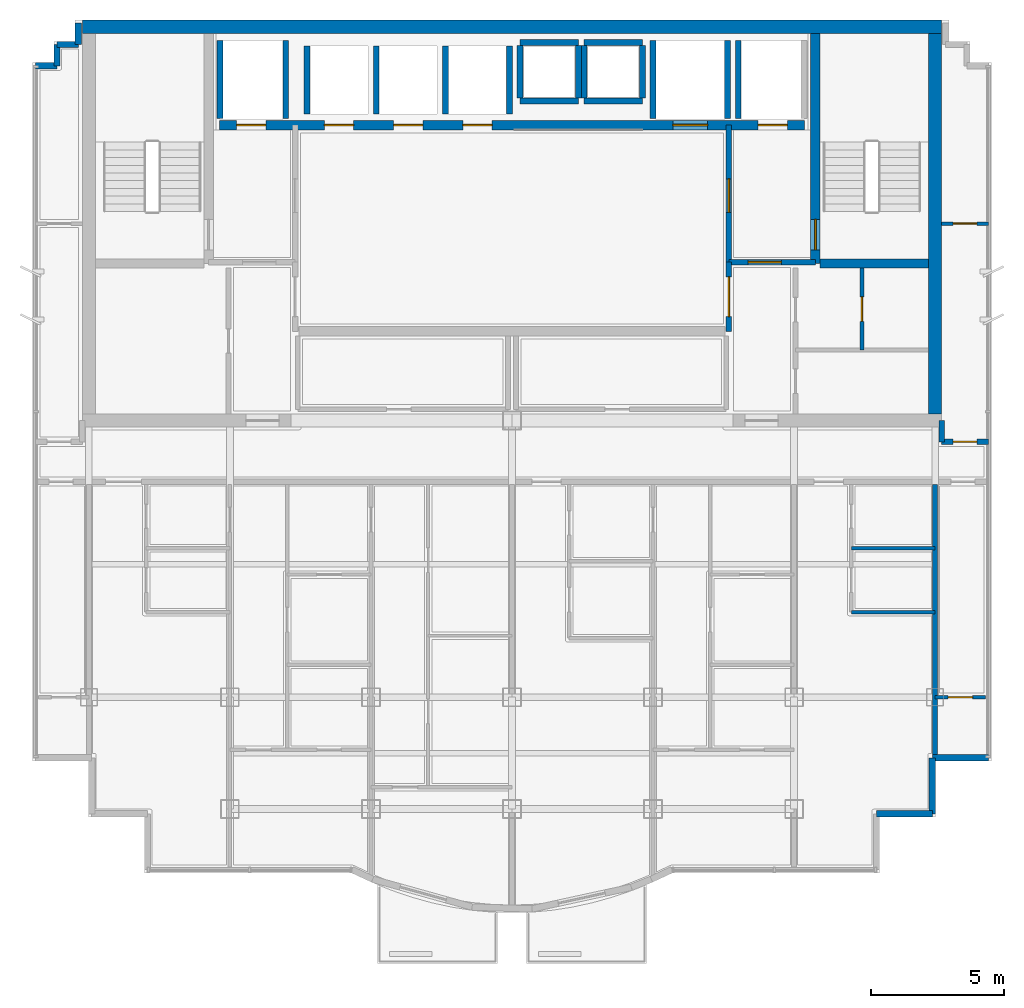
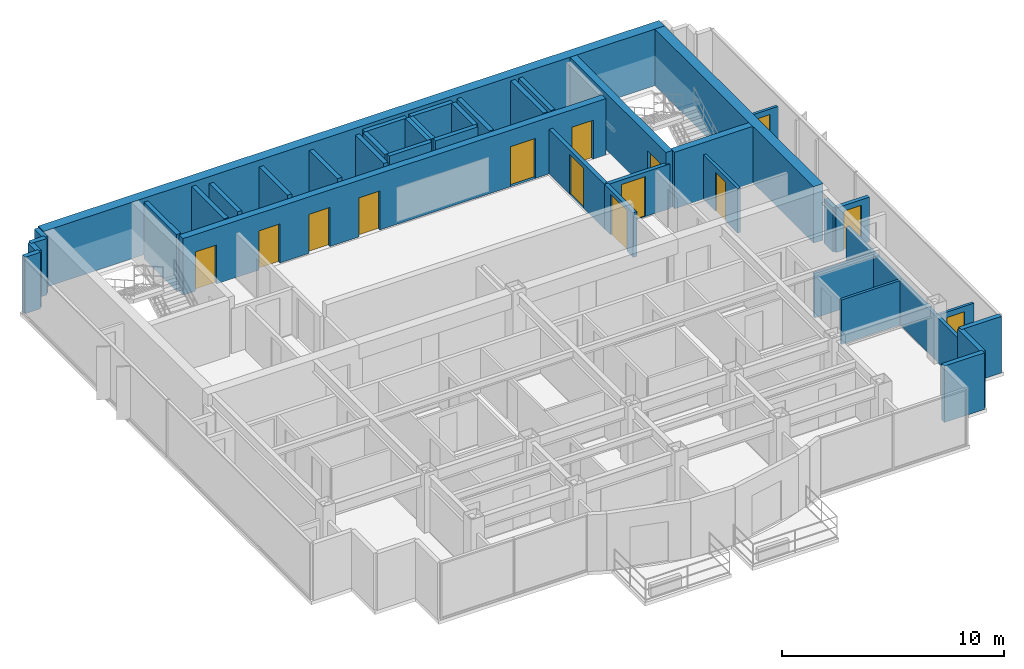
# One storey, part 8 of 11: 40 walls, 14 doors, 14 openings.
"""IFC4 building model written with IfcOpenShell, lengths in metres."""

from ifc_helpers import new_model, si_unit, direction, frame, frame_2d, origin, place, context, subcontext, project, spatial, rectangle, extrude, material, layer, layer_set, type_object, element, fill, save


model = new_model("IFC4")

# Units and contexts
model_context = context("Model", 3, precision=1e-05, world=origin(), true_north=direction((0.0, 1.0)))
body_context = subcontext(model_context, "Body", "Model", "MODEL_VIEW")
ifc_project = project(units=[si_unit("LENGTHUNIT", "METRE"), si_unit("AREAUNIT", "SQUARE_METRE"), si_unit("VOLUMEUNIT", "CUBIC_METRE"), si_unit("PLANEANGLEUNIT", "RADIAN"), si_unit("MASSUNIT", "GRAM", prefix="KILO")], contexts=[model_context])

# Site, building, storey
site_placement = place(None, origin())
site = spatial("IfcSite", under=ifc_project, at=site_placement, CompositionType="ELEMENT")
building_placement = place(site_placement, origin())
building = spatial("IfcBuilding", under=site, at=building_placement, Name="Qianlan Lanfeng Residences", CompositionType="ELEMENT")
storey_placement = place(building_placement, frame((0.0, 0.0, 256.10009765625)))
storey = spatial("IfcBuildingStorey", under=building, at=storey_placement, Name="L71", CompositionType="ELEMENT", Elevation=256.10009765625)

# Wall, opening, door
ifc_material_1 = material(Name="Concrete C49", Category="concrete")
ifc_layer_1 = layer(ifc_material_1, 0.35009765625)
ifc_layer_set_1 = layer_set([ifc_layer_1], Name="Concrete C49")
wall_type_1 = type_object("IfcWallType", Name="CW-RC-350", PredefinedType="SHEAR", material=ifc_layer_set_1)
wall_1_placement = place(storey_placement, frame((37.89990234375, 31.10009765625, 0.0), z_axis=(0.0, 0.0, 1.0), x_axis=(0.0, 1.0, 0.0)))
wall_1 = element("IfcWall", 1, at=wall_1_placement, inside=storey, type_object=wall_type_1, Name="L71 Core Shear Wall ST2W", PredefinedType="SHEAR", context=body_context, shape_type="SweptSolid", body=[
    extrude(rectangle(XDim=8.64990234375, YDim=0.35009765625, at=frame_2d((4.324951171875, 0.0))), origin(), (0.0, 0.0, 1.0), 3.10986328125),
])
opening_1_placement = place(wall_1_placement, frame((0.510009765625, 0.0, 0.0)))
opening_1 = element("IfcOpeningElement", 2, at=opening_1_placement, cuts=wall_1, Name="Opening L71-D08", PredefinedType="OPENING", context=body_context, shape_type="SweptSolid", body=[
    extrude(rectangle(XDim=1.14990234375, YDim=2.199951171875, at=frame_2d((0.574951171875, 1.10009765625))), frame((0.0, 0.18505859375, 0.0), z_axis=(0.0, -1.0, 0.0), x_axis=(1.0, 0.0, 0.0)), (0.0, 0.0, 1.0), 0.3701171875),
])
ifc_material_2 = material(Name="Painted Galvanised Steel Fire Door", Category="steel")
door_type_1 = type_object("IfcDoorType", Name="DT-ST1", OperationType="NOTDEFINED", PredefinedType="DOOR", material=ifc_material_2)
door_1_placement = place(opening_1_placement, origin())
door_1 = element("IfcDoor", 3, at=door_1_placement, inside=storey, type_object=door_type_1, Name="L71 Exit Stair ST-2 Door L71-D08 (DT-ST1)", OperationType="SINGLE_SWING_RIGHT", OverallHeight=2.199951171875, OverallWidth=1.14990234375, PredefinedType="DOOR", context=body_context, shape_type="SweptSolid", body=[
    extrude(rectangle(XDim=1.14990234375, YDim=2.199951171875, at=frame_2d((0.574951171875, 1.10009765625))), frame((0.0, 0.02490234375, 0.0), z_axis=(0.0, -1.0, 0.0), x_axis=(1.0, 0.0, 0.0)), (0.0, 0.0, 1.0), 0.050048828125),
])
fill(opening_1, door_1)

# Wall
wall_2_placement = place(storey_placement, frame((38.074951171875, 31.10009765625, 0.0), z_axis=(0.0, 0.0, 1.0), x_axis=(1.0, 0.0, 0.0)))
element("IfcWall", 4, at=wall_2_placement, inside=storey, type_object=wall_type_1, Name="L71 Core Shear Wall ST2S", PredefinedType="SHEAR", context=body_context, shape_type="SweptSolid", body=[
    extrude(rectangle(XDim=4.074951171875, YDim=0.35009765625, at=frame_2d((2.03759765625, 0.0))), origin(), (0.0, 0.0, 1.0), 3.10986328125),
])

# Wall, openings, doors
wall_3_placement = place(storey_placement, frame((15.5, 36.300048828125, 0.0), z_axis=(0.0, 0.0, 1.0), x_axis=(1.0, 0.0, 0.0)))
wall_3 = element("IfcWall", 5, at=wall_3_placement, inside=storey, type_object=wall_type_1, Name="L71 Core Shear Wall LBN", PredefinedType="SHEAR", context=body_context, shape_type="SweptSolid", body=[
    extrude(rectangle(XDim=22.0, YDim=0.35009765625, at=frame_2d((11.0, 0.0))), origin(), (0.0, 0.0, 1.0), 3.10986328125),
])
opening_2_placement = place(wall_3_placement, frame((0.64990234375, 0.0, 0.0)))
opening_2 = element("IfcOpeningElement", 6, at=opening_2_placement, cuts=wall_3, Name="Opening L71-LD-FFL-1", PredefinedType="OPENING", context=body_context, shape_type="SweptSolid", body=[
    extrude(rectangle(XDim=1.10009765625, YDim=2.14990234375, at=frame_2d((0.550048828125, 1.074951171875))), frame((0.0, 0.18505859375, 0.0), z_axis=(0.0, -1.0, 0.0), x_axis=(1.0, 0.0, 0.0)), (0.0, 0.0, 1.0), 0.3701171875),
])
opening_3_placement = place(wall_3_placement, frame((20.25, 0.0, 0.0)))
opening_3 = element("IfcOpeningElement", 7, at=opening_3_placement, cuts=wall_3, Name="Opening L71-LD-FFL-2", PredefinedType="OPENING", context=body_context, shape_type="SweptSolid", body=[
    extrude(rectangle(XDim=1.10009765625, YDim=2.14990234375, at=frame_2d((0.550048828125, 1.074951171875))), frame((0.0, 0.18505859375, 0.0), z_axis=(0.0, -1.0, 0.0), x_axis=(1.0, 0.0, 0.0)), (0.0, 0.0, 1.0), 0.3701171875),
])
opening_4_placement = place(wall_3_placement, frame((17.050048828125, 0.0, 0.0)))
opening_4 = element("IfcOpeningElement", 8, at=opening_4_placement, cuts=wall_3, Name="Opening L71-LD-SVL-1", PredefinedType="OPENING", context=body_context, shape_type="SweptSolid", body=[
    extrude(rectangle(XDim=1.300048828125, YDim=2.199951171875, at=frame_2d((0.64990234375, 1.10009765625))), frame((0.0, 0.18505859375, 0.0), z_axis=(0.0, -1.0, 0.0), x_axis=(1.0, 0.0, 0.0)), (0.0, 0.0, 1.0), 0.3701171875),
])
opening_5_placement = place(wall_3_placement, frame((3.949951171875, 0.0, 0.0)))
opening_5 = element("IfcOpeningElement", 9, at=opening_5_placement, cuts=wall_3, Name="Opening L71-LD-PL-H1", PredefinedType="OPENING", context=body_context, shape_type="SweptSolid", body=[
    extrude(rectangle(XDim=1.10009765625, YDim=2.14990234375, at=frame_2d((0.550048828125, 1.074951171875))), frame((0.0, 0.18505859375, 0.0), z_axis=(0.0, -1.0, 0.0), x_axis=(1.0, 0.0, 0.0)), (0.0, 0.0, 1.0), 0.3701171875),
])
opening_6_placement = place(wall_3_placement, frame((6.550048828125, 0.0, 0.0)))
opening_6 = element("IfcOpeningElement", 10, at=opening_6_placement, cuts=wall_3, Name="Opening L71-LD-PL-H2", PredefinedType="OPENING", context=body_context, shape_type="SweptSolid", body=[
    extrude(rectangle(XDim=1.10009765625, YDim=2.14990234375, at=frame_2d((0.550048828125, 1.074951171875))), frame((0.0, 0.18505859375, 0.0), z_axis=(0.0, -1.0, 0.0), x_axis=(1.0, 0.0, 0.0)), (0.0, 0.0, 1.0), 0.3701171875),
])
opening_7_placement = place(wall_3_placement, frame((9.14990234375, 0.0, 0.0)))
opening_7 = element("IfcOpeningElement", 11, at=opening_7_placement, cuts=wall_3, Name="Opening L71-LD-PL-H3", PredefinedType="OPENING", context=body_context, shape_type="SweptSolid", body=[
    extrude(rectangle(XDim=1.10009765625, YDim=2.14990234375, at=frame_2d((0.550048828125, 1.074951171875))), frame((0.0, 0.18505859375, 0.0), z_axis=(0.0, -1.0, 0.0), x_axis=(1.0, 0.0, 0.0)), (0.0, 0.0, 1.0), 0.3701171875),
])
ifc_material_3 = material(Name="Brushed Stainless Steel Sliding Lift Door", Category="steel")
door_type_2 = type_object("IfcDoorType", Name="LD-01", OperationType="NOTDEFINED", PredefinedType="DOOR", material=ifc_material_3)
door_2_placement = place(opening_2_placement, frame((1.10009765625, 0.0, 0.0), z_axis=(0.0, 0.0, 1.0), x_axis=(-1.0, 0.0, 0.0)))
door_2 = element("IfcDoor", 12, at=door_2_placement, inside=storey, type_object=door_type_2, Name="L71 Elevator FFL-1 Sliding Landing Door", OperationType="DOUBLE_DOOR_SLIDING", OverallHeight=2.14990234375, OverallWidth=1.10009765625, PredefinedType="DOOR", context=body_context, shape_type="SweptSolid", body=[
    extrude(rectangle(XDim=1.10009765625, YDim=2.14990234375, at=frame_2d((0.550048828125, 1.074951171875))), frame((0.0, 0.02490234375, 0.0), z_axis=(0.0, -1.0, 0.0), x_axis=(1.0, 0.0, 0.0)), (0.0, 0.0, 1.0), 0.050048828125),
])
fill(opening_2, door_2)
door_3_placement = place(opening_3_placement, frame((1.10009765625, 0.0, 0.0), z_axis=(0.0, 0.0, 1.0), x_axis=(-1.0, 0.0, 0.0)))
door_3 = element("IfcDoor", 13, at=door_3_placement, inside=storey, type_object=door_type_2, Name="L71 Elevator FFL-2 Sliding Landing Door", OperationType="DOUBLE_DOOR_SLIDING", OverallHeight=2.14990234375, OverallWidth=1.10009765625, PredefinedType="DOOR", context=body_context, shape_type="SweptSolid", body=[
    extrude(rectangle(XDim=1.10009765625, YDim=2.14990234375, at=frame_2d((0.550048828125, 1.074951171875))), frame((0.0, 0.02490234375, 0.0), z_axis=(0.0, -1.0, 0.0), x_axis=(1.0, 0.0, 0.0)), (0.0, 0.0, 1.0), 0.050048828125),
])
fill(opening_3, door_3)
door_4_placement = place(opening_5_placement, frame((1.10009765625, 0.0, 0.0), z_axis=(0.0, 0.0, 1.0), x_axis=(-1.0, 0.0, 0.0)))
door_4 = element("IfcDoor", 14, at=door_4_placement, inside=storey, type_object=door_type_2, Name="L71 Elevator PL-H1 Sliding Landing Door", OperationType="DOUBLE_DOOR_SLIDING", OverallHeight=2.14990234375, OverallWidth=1.10009765625, PredefinedType="DOOR", context=body_context, shape_type="SweptSolid", body=[
    extrude(rectangle(XDim=1.10009765625, YDim=2.14990234375, at=frame_2d((0.550048828125, 1.074951171875))), frame((0.0, 0.02490234375, 0.0), z_axis=(0.0, -1.0, 0.0), x_axis=(1.0, 0.0, 0.0)), (0.0, 0.0, 1.0), 0.050048828125),
])
fill(opening_5, door_4)
door_5_placement = place(opening_6_placement, frame((1.10009765625, 0.0, 0.0), z_axis=(0.0, 0.0, 1.0), x_axis=(-1.0, 0.0, 0.0)))
door_5 = element("IfcDoor", 15, at=door_5_placement, inside=storey, type_object=door_type_2, Name="L71 Elevator PL-H2 Sliding Landing Door", OperationType="DOUBLE_DOOR_SLIDING", OverallHeight=2.14990234375, OverallWidth=1.10009765625, PredefinedType="DOOR", context=body_context, shape_type="SweptSolid", body=[
    extrude(rectangle(XDim=1.10009765625, YDim=2.14990234375, at=frame_2d((0.550048828125, 1.074951171875))), frame((0.0, 0.02490234375, 0.0), z_axis=(0.0, -1.0, 0.0), x_axis=(1.0, 0.0, 0.0)), (0.0, 0.0, 1.0), 0.050048828125),
])
fill(opening_6, door_5)
door_6_placement = place(opening_7_placement, frame((1.10009765625, 0.0, 0.0), z_axis=(0.0, 0.0, 1.0), x_axis=(-1.0, 0.0, 0.0)))
door_6 = element("IfcDoor", 16, at=door_6_placement, inside=storey, type_object=door_type_2, Name="L71 Elevator PL-H3 Sliding Landing Door", OperationType="DOUBLE_DOOR_SLIDING", OverallHeight=2.14990234375, OverallWidth=1.10009765625, PredefinedType="DOOR", context=body_context, shape_type="SweptSolid", body=[
    extrude(rectangle(XDim=1.10009765625, YDim=2.14990234375, at=frame_2d((0.550048828125, 1.074951171875))), frame((0.0, 0.02490234375, 0.0), z_axis=(0.0, -1.0, 0.0), x_axis=(1.0, 0.0, 0.0)), (0.0, 0.0, 1.0), 0.050048828125),
])
fill(opening_7, door_6)
door_type_3 = type_object("IfcDoorType", Name="LD-02", OperationType="NOTDEFINED", PredefinedType="DOOR", material=ifc_material_3)
door_7_placement = place(opening_4_placement, frame((1.300048828125, 0.0, 0.0), z_axis=(0.0, 0.0, 1.0), x_axis=(-1.0, 0.0, 0.0)))
door_7 = element("IfcDoor", 17, at=door_7_placement, inside=storey, type_object=door_type_3, Name="L71 Elevator SVL-1 Sliding Landing Door", OperationType="DOUBLE_DOOR_SLIDING", OverallHeight=2.199951171875, OverallWidth=1.300048828125, PredefinedType="DOOR", context=body_context, shape_type="SweptSolid", body=[
    extrude(rectangle(XDim=1.300048828125, YDim=2.199951171875, at=frame_2d((0.64990234375, 1.10009765625))), frame((0.0, 0.02490234375, 0.0), z_axis=(0.0, -1.0, 0.0), x_axis=(1.0, 0.0, 0.0)), (0.0, 0.0, 1.0), 0.050048828125),
])
fill(opening_4, door_7)

# Walls
ifc_material_4 = material(Name="Concrete C70", Category="concrete")
ifc_layer_2 = layer(ifc_material_4, 0.5)
ifc_layer_set_2 = layer_set([ifc_layer_2], Name="Concrete C70")
wall_type_2 = type_object("IfcWallType", Name="CW-RC-500", PredefinedType="SHEAR", material=ifc_layer_set_2)
wall_4_placement = place(storey_placement, frame((10.35009765625, 40.0, 0.0), z_axis=(0.0, 0.0, 1.0), x_axis=(1.0, 0.0, 0.0)))
element("IfcWall", 18, at=wall_4_placement, inside=storey, type_object=wall_type_2, Name="L71 Core Shear Wall N", PredefinedType="SHEAR", context=body_context, shape_type="SweptSolid", body=[
    extrude(rectangle(XDim=32.2998046875, YDim=0.5, at=frame_2d((16.14990234375, 0.0))), origin(), (0.0, 0.0, 1.0), 3.10986328125),
])
wall_5_placement = place(storey_placement, frame((42.39990234375, 25.449951171875, 0.0), z_axis=(0.0, 0.0, 1.0), x_axis=(0.0, 1.0, 0.0)))
element("IfcWall", 19, at=wall_5_placement, inside=storey, type_object=wall_type_2, Name="L71 Core Shear Wall E", PredefinedType="SHEAR", context=body_context, shape_type="SweptSolid", body=[
    extrude(rectangle(XDim=14.300048828125, YDim=0.5, at=frame_2d((7.14990234375, 0.0))), origin(), (0.0, 0.0, 1.0), 3.10986328125),
])
ifc_material_5 = material(Name="Concrete C42", Category="concrete")
ifc_layer_3 = layer(ifc_material_5, 0.239990234375)
ifc_layer_set_3 = layer_set([ifc_layer_3], Name="Concrete C42")
wall_type_3 = type_object("IfcWallType", Name="EW-240", PredefinedType="SOLIDWALL", material=ifc_layer_set_3)
for number, where, z_axis, x_axis, name in (
    (20, (40.199951171875, 10.419921875, 0.0), (0.0, 0.0, 1.0), (1.0, 0.0, 0.0), "L71 Exterior Facade Spandrel Wall 12"),
    (21, (42.300048828125, 10.419921875, 0.0), (0.0, 0.0, 1.0), (0.0, 1.0, 0.0), "L71 Exterior Facade Spandrel Wall 13"),
):
    element("IfcWall", number, at=place(storey_placement, frame(where, z_axis=z_axis, x_axis=x_axis)), inside=storey, type_object=wall_type_3, Name=name, PredefinedType="SOLIDWALL", context=body_context, shape_type="SweptSolid", body=[
        extrude(rectangle(XDim=2.10009765625, YDim=0.239990234375, at=frame_2d((1.050048828125, 0.0))), origin(), (0.0, 0.0, 1.0), 3.10986328125),
    ])
wall_6_placement = place(storey_placement, frame((42.300048828125, 12.52001953125, 0.0), z_axis=(0.0, 0.0, 1.0), x_axis=(1.0, 0.0, 0.0)))
element("IfcWall", 22, at=wall_6_placement, inside=storey, type_object=wall_type_3, Name="L71 Exterior Facade Spandrel Wall 14", PredefinedType="SOLIDWALL", context=body_context, shape_type="SweptSolid", body=[
    extrude(rectangle(XDim=2.099853515625, YDim=0.239990234375, at=frame_2d((1.0498046875, 0.0))), origin(), (0.0, 0.0, 1.0), 3.10986328125),
])
wall_7_placement = place(storey_placement, frame((10.199951171875, 40.1298828125, 0.0), z_axis=(0.0, 0.0, 1.0), x_axis=(0.0, -1.0, 0.0)))
element("IfcWall", 23, at=wall_7_placement, inside=storey, type_object=wall_type_3, Name="L71 Exterior Facade Spandrel Wall 19", PredefinedType="SOLIDWALL", context=body_context, shape_type="SweptSolid", body=[
    extrude(rectangle(XDim=0.7998046875, YDim=0.239990234375, at=frame_2d((0.39990234375, 0.0))), origin(), (0.0, 0.0, 1.0), 3.10986328125),
])
for number, where, z_axis, x_axis, name in (
    (24, (10.199951171875, 39.330078125, 0.0), (0.0, 0.0, 1.0), (-1.0, 0.0, 0.0), "L71 Exterior Facade Spandrel Wall 20"),
    (25, (9.39990234375, 39.330078125, 0.0), (0.0, 0.0, 1.0), (0.0, -1.0, 0.0), "L71 Exterior Facade Spandrel Wall 21"),
):
    element("IfcWall", number, at=place(storey_placement, frame(where, z_axis=z_axis, x_axis=x_axis)), inside=storey, type_object=wall_type_3, Name=name, PredefinedType="SOLIDWALL", context=body_context, shape_type="SweptSolid", body=[
        extrude(rectangle(XDim=0.800048828125, YDim=0.239990234375, at=frame_2d((0.39990234375, 0.0))), origin(), (0.0, 0.0, 1.0), 3.10986328125),
    ])
wall_8_placement = place(storey_placement, frame((9.39990234375, 38.530029296875, 0.0), z_axis=(0.0, 0.0, 1.0), x_axis=(-1.0, 0.0, 0.0)))
element("IfcWall", 26, at=wall_8_placement, inside=storey, type_object=wall_type_3, Name="L71 Exterior Facade Spandrel Wall 22", PredefinedType="SOLIDWALL", context=body_context, shape_type="SweptSolid", body=[
    extrude(rectangle(XDim=0.7998046875, YDim=0.239990234375, at=frame_2d((0.39990234375, 0.0))), origin(), (0.0, 0.0, 1.0), 3.10986328125),
])
ifc_material_6 = material(Name="Moisture-Resistant Gypsum Partition 135 mm")
ifc_layer_4 = layer(ifc_material_6, 0.135009765625)
ifc_layer_set_4 = layer_set([ifc_layer_4], Name="Moisture-Resistant Gypsum Partition 135 mm")
wall_type_4 = type_object("IfcWallType", Name="PW-135", PredefinedType="PARTITIONING", material=ifc_layer_set_4)
for number, where, z_axis, x_axis, name in (
    (27, (39.25, 18.0, 0.0), (0.0, 0.0, 1.0), (1.0, 0.0, 0.0), "L71 U03 Kitchen South Wall"),
    (28, (39.25, 20.39990234375, 0.0), (0.0, 0.0, 1.0), (1.0, 0.0, 0.0), "L71 U03 Bathroom South Wall"),
):
    element("IfcWall", number, at=place(storey_placement, frame(where, z_axis=z_axis, x_axis=x_axis)), inside=storey, type_object=wall_type_4, Name=name, PredefinedType="PARTITIONING", context=body_context, shape_type="SweptSolid", body=[
        extrude(rectangle(XDim=3.14990234375, YDim=0.135009765625, at=frame_2d((1.574951171875, 0.0))), origin(), (0.0, 0.0, 1.0), 2.449951171875),
    ])

# Wall, opening, door
wall_9_placement = place(storey_placement, frame((42.39990234375, 14.800048828125, 0.0), z_axis=(0.0, 0.0, 1.0), x_axis=(1.0, 0.0, 0.0)))
wall_9 = element("IfcWall", 29, at=wall_9_placement, inside=storey, type_object=wall_type_4, Name="L71 SEP Mid Partition", PredefinedType="PARTITIONING", context=body_context, shape_type="SweptSolid", body=[
    extrude(rectangle(XDim=1.900146484375, YDim=0.135009765625, at=frame_2d((0.9501953125, 0.0))), origin(), (0.0, 0.0, 1.0), 2.449951171875),
])
opening_8_placement = place(wall_9_placement, frame((0.489990234375, 0.0, 0.0)))
opening_8 = element("IfcOpeningElement", 30, at=opening_8_placement, cuts=wall_9, Name="Opening L71-D42", PredefinedType="OPENING", context=body_context, shape_type="SweptSolid", body=[
    extrude(rectangle(XDim=0.919921875, YDim=2.14990234375, at=frame_2d((0.4599609375, 1.074951171875))), frame((0.0, 0.07763671875, 0.0), z_axis=(0.0, -1.0, 0.0), x_axis=(1.0, 0.0, 0.0)), (0.0, 0.0, 1.0), 0.155029296875),
])
ifc_material_7 = material(Name="Glazed Timber Kitchen/Study Door", Category="wood")
door_type_4 = type_object("IfcDoorType", Name="DT-INT", OperationType="NOTDEFINED", PredefinedType="DOOR", material=ifc_material_7)
door_8_placement = place(opening_8_placement, origin())
door_8 = element("IfcDoor", 31, at=door_8_placement, inside=storey, type_object=door_type_4, Name="L71 SEP Inner Door L71-D42 (DT-INT)", OperationType="SINGLE_SWING_RIGHT", OverallHeight=2.14990234375, OverallWidth=0.919921875, PredefinedType="DOOR", context=body_context, shape_type="SweptSolid", body=[
    extrude(rectangle(XDim=0.919921875, YDim=2.14990234375, at=frame_2d((0.4599609375, 1.074951171875))), frame((0.0, 0.02490234375, 0.0), z_axis=(0.0, -1.0, 0.0), x_axis=(1.0, 0.0, 0.0)), (0.0, 0.0, 1.0), 0.050048828125),
])
fill(opening_8, door_8)

wall_10_placement = place(storey_placement, frame((42.64990234375, 32.60009765625, 0.0), z_axis=(0.0, 0.0, 1.0), x_axis=(1.0, 0.0, 0.0)))
wall_10 = element("IfcWall", 32, at=wall_10_placement, inside=storey, type_object=wall_type_4, Name="L71 EW North Wing Wall", PredefinedType="PARTITIONING", context=body_context, shape_type="SweptSolid", body=[
    extrude(rectangle(XDim=1.75, YDim=0.135009765625, at=frame_2d((0.875, 0.0))), origin(), (0.0, 0.0, 1.0), 2.449951171875),
])
opening_9_placement = place(wall_10_placement, frame((0.425048828125, 0.0, 0.0)))
opening_9 = element("IfcOpeningElement", 33, at=opening_9_placement, cuts=wall_10, Name="Opening L71-D46", PredefinedType="OPENING", context=body_context, shape_type="SweptSolid", body=[
    extrude(rectangle(XDim=0.89990234375, YDim=2.14990234375, at=frame_2d((0.449951171875, 1.074951171875))), frame((0.0, 0.07763671875, 0.0), z_axis=(0.0, -1.0, 0.0), x_axis=(1.0, 0.0, 0.0)), (0.0, 0.0, 1.0), 0.155029296875),
])
ifc_material_8 = material(Name="Moisture-Resistant Timber Leaf", Category="wood")
door_type_5 = type_object("IfcDoorType", Name="DT-WC", OperationType="NOTDEFINED", PredefinedType="DOOR", material=ifc_material_8)
door_9_placement = place(opening_9_placement, origin())
door_9 = element("IfcDoor", 34, at=door_9_placement, inside=storey, type_object=door_type_5, Name="L71 EW Inner Salon Door L71-D46 (DT-WC)", OperationType="SINGLE_SWING_RIGHT", OverallHeight=2.14990234375, OverallWidth=0.89990234375, PredefinedType="DOOR", context=body_context, shape_type="SweptSolid", body=[
    extrude(rectangle(XDim=0.89990234375, YDim=2.14990234375, at=frame_2d((0.449951171875, 1.074951171875))), frame((0.0, 0.02490234375, 0.0), z_axis=(0.0, -1.0, 0.0), x_axis=(1.0, 0.0, 0.0)), (0.0, 0.0, 1.0), 0.050048828125),
])
fill(opening_9, door_9)

ifc_material_9 = material(Name="Acoustic Drywall Partition 150 mm")
ifc_layer_5 = layer(ifc_material_9, 0.14990234375)
ifc_layer_set_5 = layer_set([ifc_layer_5], Name="Acoustic Drywall Partition 150 mm")
wall_type_5 = type_object("IfcWallType", Name="PW-150", PredefinedType="PARTITIONING", material=ifc_layer_set_5)
wall_11_placement = place(storey_placement, frame((39.64990234375, 27.85009765625, 0.0), z_axis=(0.0, 0.0, 1.0), x_axis=(0.0, 1.0, 0.0)))
wall_11 = element("IfcWall", 35, at=wall_11_placement, inside=storey, type_object=wall_type_5, Name="L71 Core East V Split", PredefinedType="PARTITIONING", context=body_context, shape_type="SweptSolid", body=[
    extrude(rectangle(XDim=3.074951171875, YDim=0.14990234375, at=frame_2d((1.53759765625, 0.0))), origin(), (0.0, 0.0, 1.0), 2.449951171875),
])
opening_10_placement = place(wall_11_placement, frame((1.077880859375, 0.0, 0.0)))
opening_10 = element("IfcOpeningElement", 36, at=opening_10_placement, cuts=wall_11, Name="Opening L71-D12", PredefinedType="OPENING", context=body_context, shape_type="SweptSolid", body=[
    extrude(rectangle(XDim=0.919921875, YDim=2.14990234375, at=frame_2d((0.4599609375, 1.074951171875))), frame((0.0, 0.0849609375, 0.0), z_axis=(0.0, -1.0, 0.0), x_axis=(1.0, 0.0, 0.0)), (0.0, 0.0, 1.0), 0.169921875),
])
door_10_placement = place(opening_10_placement, origin())
door_10 = element("IfcDoor", 37, at=door_10_placement, inside=storey, type_object=door_type_4, Name="L71 Inner Supply Closet Door L71-D12 (DT-INT)", OperationType="SINGLE_SWING_RIGHT", OverallHeight=2.14990234375, OverallWidth=0.919921875, PredefinedType="DOOR", context=body_context, shape_type="SweptSolid", body=[
    extrude(rectangle(XDim=0.919921875, YDim=2.14990234375, at=frame_2d((0.4599609375, 1.074951171875))), frame((0.0, 0.02490234375, 0.0), z_axis=(0.0, -1.0, 0.0), x_axis=(1.0, 0.0, 0.0)), (0.0, 0.0, 1.0), 0.050048828125),
])
fill(opening_10, door_10)

# Wall
ifc_material_10 = material(Name="Double-Layer Acoustic Gypsum Stud Wall 180 mm")
ifc_layer_6 = layer(ifc_material_10, 0.179931640625)
ifc_layer_set_6 = layer_set([ifc_layer_6], Name="Double-Layer Acoustic Gypsum Stud Wall 180 mm")
wall_type_6 = type_object("IfcWallType", Name="PW-180", PredefinedType="PARTITIONING", material=ifc_layer_set_6)
wall_12_placement = place(storey_placement, frame((42.39990234375, 12.6201171875, 0.0), z_axis=(0.0, 0.0, 1.0), x_axis=(0.0, 1.0, 0.0)))
element("IfcWall", 38, at=wall_12_placement, inside=storey, type_object=wall_type_6, Name="L71 Wing Boundary Party Wall E0", PredefinedType="PARTITIONING", context=body_context, shape_type="SweptSolid", body=[
    extrude(rectangle(XDim=10.179931640625, YDim=0.179931640625, at=frame_2d((5.08984375, 0.0))), origin(), (0.0, 0.0, 1.0), 2.449951171875),
])

# Wall, opening, door
ifc_material_11 = material(Name="Autoclaved Aerated Concrete Blockwork 200 mm", Category="masonry")
ifc_layer_7 = layer(ifc_material_11, 0.199951171875)
ifc_layer_set_7 = layer_set([ifc_layer_7], Name="Autoclaved Aerated Concrete Blockwork 200 mm")
wall_type_7 = type_object("IfcWallType", Name="PW-200", PredefinedType="PARTITIONING", material=ifc_layer_set_7)
wall_13_placement = place(storey_placement, frame((34.64990234375, 31.14990234375, 0.0), z_axis=(0.0, 0.0, 1.0), x_axis=(1.0, 0.0, 0.0)))
wall_13 = element("IfcWall", 39, at=wall_13_placement, inside=storey, type_object=wall_type_7, Name="L71 Firefighting Lobby 2 South Wall", PredefinedType="PARTITIONING", context=body_context, shape_type="SweptSolid", body=[
    extrude(rectangle(XDim=3.25, YDim=0.199951171875, at=frame_2d((1.625, 0.0))), origin(), (0.0, 0.0, 1.0), 2.449951171875),
])
opening_11_placement = place(wall_13_placement, frame((0.72509765625, 0.0, 0.0)))
opening_11 = element("IfcOpeningElement", 40, at=opening_11_placement, cuts=wall_13, Name="Opening L71-D05", PredefinedType="OPENING", context=body_context, shape_type="SweptSolid", body=[
    extrude(rectangle(XDim=1.25, YDim=2.199951171875, at=frame_2d((0.625, 1.10009765625))), frame((0.0, 0.10986328125, 0.0), z_axis=(0.0, -1.0, 0.0), x_axis=(1.0, 0.0, 0.0)), (0.0, 0.0, 1.0), 0.219970703125),
])
door_type_6 = type_object("IfcDoorType", Name="DT-FFL", OperationType="NOTDEFINED", PredefinedType="DOOR", material=ifc_material_2)
door_11_placement = place(opening_11_placement, origin())
door_11 = element("IfcDoor", 41, at=door_11_placement, inside=storey, type_object=door_type_6, Name="L71 Firefighting Lobby 2 Entry Door L71-D05 (DT-FFL)", OperationType="SINGLE_SWING_RIGHT", OverallHeight=2.199951171875, OverallWidth=1.25, PredefinedType="DOOR", context=body_context, shape_type="SweptSolid", body=[
    extrude(rectangle(XDim=1.25, YDim=2.199951171875, at=frame_2d((0.625, 1.10009765625))), frame((0.0, 0.02490234375, 0.0), z_axis=(0.0, -1.0, 0.0), x_axis=(1.0, 0.0, 0.0)), (0.0, 0.0, 1.0), 0.050048828125),
])
fill(opening_11, door_11)

wall_14_placement = place(storey_placement, frame((34.64990234375, 31.14990234375, 0.0), z_axis=(0.0, 0.0, 1.0), x_axis=(0.0, 1.0, 0.0)))
wall_14 = element("IfcWall", 42, at=wall_14_placement, inside=storey, type_object=wall_type_7, Name="L71 Firefighting Lobby 2 West Wall", PredefinedType="PARTITIONING", context=body_context, shape_type="SweptSolid", body=[
    extrude(rectangle(XDim=5.150146484375, YDim=0.199951171875, at=frame_2d((2.5751953125, 0.0))), origin(), (0.0, 0.0, 1.0), 2.449951171875),
])
opening_12_placement = place(wall_14_placement, frame((1.875, 0.0, 0.0)))
opening_12 = element("IfcOpeningElement", 43, at=opening_12_placement, cuts=wall_14, Name="Opening L71-D06", PredefinedType="OPENING", context=body_context, shape_type="SweptSolid", body=[
    extrude(rectangle(XDim=1.25, YDim=2.199951171875, at=frame_2d((0.625, 1.10009765625))), frame((0.0, 0.10986328125, 0.0), z_axis=(0.0, -1.0, 0.0), x_axis=(1.0, 0.0, 0.0)), (0.0, 0.0, 1.0), 0.219970703125),
])
door_12_placement = place(opening_12_placement, origin())
door_12 = element("IfcDoor", 44, at=door_12_placement, inside=storey, type_object=door_type_6, Name="L71 Firefighting Lobby 2 Lift Lobby Door L71-D06 (DT-FFL)", OperationType="SINGLE_SWING_RIGHT", OverallHeight=2.199951171875, OverallWidth=1.25, PredefinedType="DOOR", context=body_context, shape_type="SweptSolid", body=[
    extrude(rectangle(XDim=1.25, YDim=2.199951171875, at=frame_2d((0.625, 1.10009765625))), frame((0.0, 0.02490234375, 0.0), z_axis=(0.0, -1.0, 0.0), x_axis=(1.0, 0.0, 0.0)), (0.0, 0.0, 1.0), 0.050048828125),
])
fill(opening_12, door_12)

wall_15_placement = place(storey_placement, frame((34.64990234375, 28.550048828125, 0.0), z_axis=(0.0, 0.0, 1.0), x_axis=(0.0, 1.0, 0.0)))
wall_15 = element("IfcWall", 45, at=wall_15_placement, inside=storey, type_object=wall_type_7, Name="L71 Lift Lobby East Connector Wall", PredefinedType="PARTITIONING", context=body_context, shape_type="SweptSolid", body=[
    extrude(rectangle(XDim=2.599853515625, YDim=0.199951171875, at=frame_2d((1.2998046875, 0.0))), origin(), (0.0, 0.0, 1.0), 2.449951171875),
])
opening_13_placement = place(wall_15_placement, frame((0.550048828125, 0.0, 0.0)))
opening_13 = element("IfcOpeningElement", 46, at=opening_13_placement, cuts=wall_15, Name="Opening L71-D14", PredefinedType="OPENING", context=body_context, shape_type="SweptSolid", body=[
    extrude(rectangle(XDim=1.5, YDim=2.25, at=frame_2d((0.75, 1.125))), frame((0.0, 0.10986328125, 0.0), z_axis=(0.0, -1.0, 0.0), x_axis=(1.0, 0.0, 0.0)), (0.0, 0.0, 1.0), 0.219970703125),
])
ifc_material_12 = material(Name="Timber Veneer Acoustic Fire Door", Category="wood")
door_type_7 = type_object("IfcDoorType", Name="DT-COR1", OperationType="NOTDEFINED", PredefinedType="DOOR", material=ifc_material_12)
door_13_placement = place(opening_13_placement, frame((1.5, 0.0, 0.0), z_axis=(0.0, 0.0, 1.0), x_axis=(-1.0, 0.0, 0.0)))
door_13 = element("IfcDoor", 47, at=door_13_placement, inside=storey, type_object=door_type_7, Name="L71 Lift Lobby East Portal Door L71-D14 (DT-COR1)", OperationType="DOUBLE_DOOR_SINGLE_SWING", OverallHeight=2.25, OverallWidth=1.5, PredefinedType="DOOR", context=body_context, shape_type="SweptSolid", body=[
    extrude(rectangle(XDim=1.5, YDim=2.25, at=frame_2d((0.75, 1.125))), frame((0.0, 0.02490234375, 0.0), z_axis=(0.0, -1.0, 0.0), x_axis=(1.0, 0.0, 0.0)), (0.0, 0.0, 1.0), 0.050048828125),
])
fill(opening_13, door_13)

wall_16_placement = place(storey_placement, frame((42.64990234375, 24.39990234375, 0.0), z_axis=(0.0, 0.0, 1.0), x_axis=(1.0, 0.0, 0.0)))
wall_16 = element("IfcWall", 48, at=wall_16_placement, inside=storey, type_object=wall_type_7, Name="L71 Corridor NE Wall", PredefinedType="PARTITIONING", context=body_context, shape_type="SweptSolid", body=[
    extrude(rectangle(XDim=1.75, YDim=0.199951171875, at=frame_2d((0.875, 0.0))), origin(), (0.0, 0.0, 1.0), 2.449951171875),
])
opening_14_placement = place(wall_16_placement, frame((0.425048828125, 0.0, 0.0)))
opening_14 = element("IfcOpeningElement", 49, at=opening_14_placement, cuts=wall_16, Name="Opening L71-D47", PredefinedType="OPENING", context=body_context, shape_type="SweptSolid", body=[
    extrude(rectangle(XDim=0.89990234375, YDim=2.14990234375, at=frame_2d((0.449951171875, 1.074951171875))), frame((0.0, 0.10986328125, 0.0), z_axis=(0.0, -1.0, 0.0), x_axis=(1.0, 0.0, 0.0)), (0.0, 0.0, 1.0), 0.219970703125),
])
door_14_placement = place(opening_14_placement, origin())
door_14 = element("IfcDoor", 50, at=door_14_placement, inside=storey, type_object=door_type_5, Name="L71 EW Amenity Salon Door L71-D47 (DT-WC)", OperationType="SINGLE_SWING_RIGHT", OverallHeight=2.14990234375, OverallWidth=0.89990234375, PredefinedType="DOOR", context=body_context, shape_type="SweptSolid", body=[
    extrude(rectangle(XDim=0.89990234375, YDim=2.14990234375, at=frame_2d((0.449951171875, 1.074951171875))), frame((0.0, 0.02490234375, 0.0), z_axis=(0.0, -1.0, 0.0), x_axis=(1.0, 0.0, 0.0)), (0.0, 0.0, 1.0), 0.050048828125),
])
fill(opening_14, door_14)

# Walls
wall_17_placement = place(storey_placement, frame((42.64990234375, 24.39990234375, 0.0), z_axis=(0.0, 0.0, 1.0), x_axis=(0.0, 1.0, 0.0)))
element("IfcWall", 51, at=wall_17_placement, inside=storey, type_object=wall_type_7, Name="L71 NE Wing Core Return Wall", PredefinedType="PARTITIONING", context=body_context, shape_type="SweptSolid", body=[
    extrude(rectangle(XDim=0.800048828125, YDim=0.199951171875, at=frame_2d((0.39990234375, 0.0))), origin(), (0.0, 0.0, 1.0), 2.449951171875),
])
ifc_layer_8 = layer(ifc_material_1, 0.219970703125)
ifc_layer_set_8 = layer_set([ifc_layer_8], Name="Concrete C49")
wall_type_8 = type_object("IfcWallType", Name="SHW-220", PredefinedType="SOLIDWALL", material=ifc_layer_set_8)
for number, where, z_axis, x_axis, name in (
    (52, (15.52001953125, 36.550048828125, 0.0), (0.0, 0.0, 1.0), (0.0, 1.0, 0.0), "L71 Lift FFL-1 Shaft Wall W"),
    (53, (18.0, 36.550048828125, 0.0), (0.0, 0.0, 1.0), (0.0, 1.0, 0.0), "L71 Lift FFL-1 Shaft Wall E"),
    (54, (35.0, 36.550048828125, 0.0), (0.0, 0.0, 1.0), (0.0, 1.0, 0.0), "L71 Lift FFL-2 Shaft Wall W"),
    (55, (31.800048828125, 36.550048828125, 0.0), (0.0, 0.0, 1.0), (0.0, 1.0, 0.0), "L71 Lift SVL-1 Shaft Wall W"),
    (56, (34.60009765625, 36.550048828125, 0.0), (0.0, 0.0, 1.0), (0.0, 1.0, 0.0), "L71 Lift SVL-1 Shaft Wall E"),
):
    element("IfcWall", number, at=place(storey_placement, frame(where, z_axis=z_axis, x_axis=x_axis)), inside=storey, type_object=wall_type_8, Name=name, PredefinedType="SOLIDWALL", context=body_context, shape_type="SweptSolid", body=[
        extrude(rectangle(XDim=2.929931640625, YDim=0.219970703125, at=frame_2d((1.46484375, 0.0))), origin(), (0.0, 0.0, 1.0), 3.10986328125),
    ])
for number, where, z_axis, x_axis, name in (
    (57, (18.800048828125, 36.719970703125, 0.0), (0.0, 0.0, 1.0), (0.0, 1.0, 0.0), "L71 Lift PL-H1 Shaft Wall W"),
    (58, (21.39990234375, 36.719970703125, 0.0), (0.0, 0.0, 1.0), (0.0, 1.0, 0.0), "L71 Lift PL-H2 Shaft Wall W"),
    (59, (24.0, 36.719970703125, 0.0), (0.0, 0.0, 1.0), (0.0, 1.0, 0.0), "L71 Lift PL-H3 Shaft Wall W"),
    (60, (26.39990234375, 36.719970703125, 0.0), (0.0, 0.0, 1.0), (0.0, 1.0, 0.0), "L71 Lift PL-H3 Shaft Wall E"),
):
    element("IfcWall", number, at=place(storey_placement, frame(where, z_axis=z_axis, x_axis=x_axis)), inside=storey, type_object=wall_type_8, Name=name, PredefinedType="SOLIDWALL", context=body_context, shape_type="SweptSolid", body=[
        extrude(rectangle(XDim=2.56005859375, YDim=0.219970703125, at=frame_2d((1.280029296875, 0.0))), origin(), (0.0, 0.0, 1.0), 3.10986328125),
    ])
for number, where, z_axis, x_axis, name in (
    (61, (26.800048828125, 37.31005859375, 0.0), (0.0, 0.0, 1.0), (0.0, 1.0, 0.0), "L71 MEP Riser MEP-R1 Shaft Wall W"),
    (62, (29.0, 37.31005859375, 0.0), (0.0, 0.0, 1.0), (0.0, 1.0, 0.0), "L71 MEP Riser MEP-R1 Shaft Wall E"),
):
    element("IfcWall", number, at=place(storey_placement, frame(where, z_axis=z_axis, x_axis=x_axis)), inside=storey, type_object=wall_type_8, Name=name, PredefinedType="SOLIDWALL", context=body_context, shape_type="SweptSolid", body=[
        extrude(rectangle(XDim=1.97998046875, YDim=0.219970703125, at=frame_2d((0.989990234375, 0.0))), origin(), (0.0, 0.0, 1.0), 3.10986328125),
    ])
for number, where, z_axis, x_axis, name in (
    (63, (26.800048828125, 39.39990234375, 0.0), (0.0, 0.0, 1.0), (1.0, 0.0, 0.0), "L71 MEP Riser MEP-R1 Shaft Wall N"),
    (64, (26.800048828125, 37.199951171875, 0.0), (0.0, 0.0, 1.0), (1.0, 0.0, 0.0), "L71 MEP Riser MEP-R1 Shaft Wall S"),
):
    element("IfcWall", number, at=place(storey_placement, frame(where, z_axis=z_axis, x_axis=x_axis)), inside=storey, type_object=wall_type_8, Name=name, PredefinedType="SOLIDWALL", context=body_context, shape_type="SweptSolid", body=[
        extrude(rectangle(XDim=2.199951171875, YDim=0.219970703125, at=frame_2d((1.10009765625, 0.0))), origin(), (0.0, 0.0, 1.0), 3.10986328125),
    ])
for number, where, z_axis, x_axis, name in (
    (65, (29.199951171875, 37.31005859375, 0.0), (0.0, 0.0, 1.0), (0.0, 1.0, 0.0), "L71 MEP Riser MEP-R2 Shaft Wall W"),
    (66, (31.39990234375, 37.31005859375, 0.0), (0.0, 0.0, 1.0), (0.0, 1.0, 0.0), "L71 MEP Riser MEP-R2 Shaft Wall E"),
):
    element("IfcWall", number, at=place(storey_placement, frame(where, z_axis=z_axis, x_axis=x_axis)), inside=storey, type_object=wall_type_8, Name=name, PredefinedType="SOLIDWALL", context=body_context, shape_type="SweptSolid", body=[
        extrude(rectangle(XDim=1.97998046875, YDim=0.219970703125, at=frame_2d((0.989990234375, 0.0))), origin(), (0.0, 0.0, 1.0), 3.10986328125),
    ])
for number, where, z_axis, x_axis, name in (
    (67, (29.199951171875, 39.39990234375, 0.0), (0.0, 0.0, 1.0), (1.0, 0.0, 0.0), "L71 MEP Riser MEP-R2 Shaft Wall N"),
    (68, (29.199951171875, 37.199951171875, 0.0), (0.0, 0.0, 1.0), (1.0, 0.0, 0.0), "L71 MEP Riser MEP-R2 Shaft Wall S"),
):
    element("IfcWall", number, at=place(storey_placement, frame(where, z_axis=z_axis, x_axis=x_axis)), inside=storey, type_object=wall_type_8, Name=name, PredefinedType="SOLIDWALL", context=body_context, shape_type="SweptSolid", body=[
        extrude(rectangle(XDim=2.199951171875, YDim=0.219970703125, at=frame_2d((1.10009765625, 0.0))), origin(), (0.0, 0.0, 1.0), 3.10986328125),
    ])

save(model, "model.ifc")
